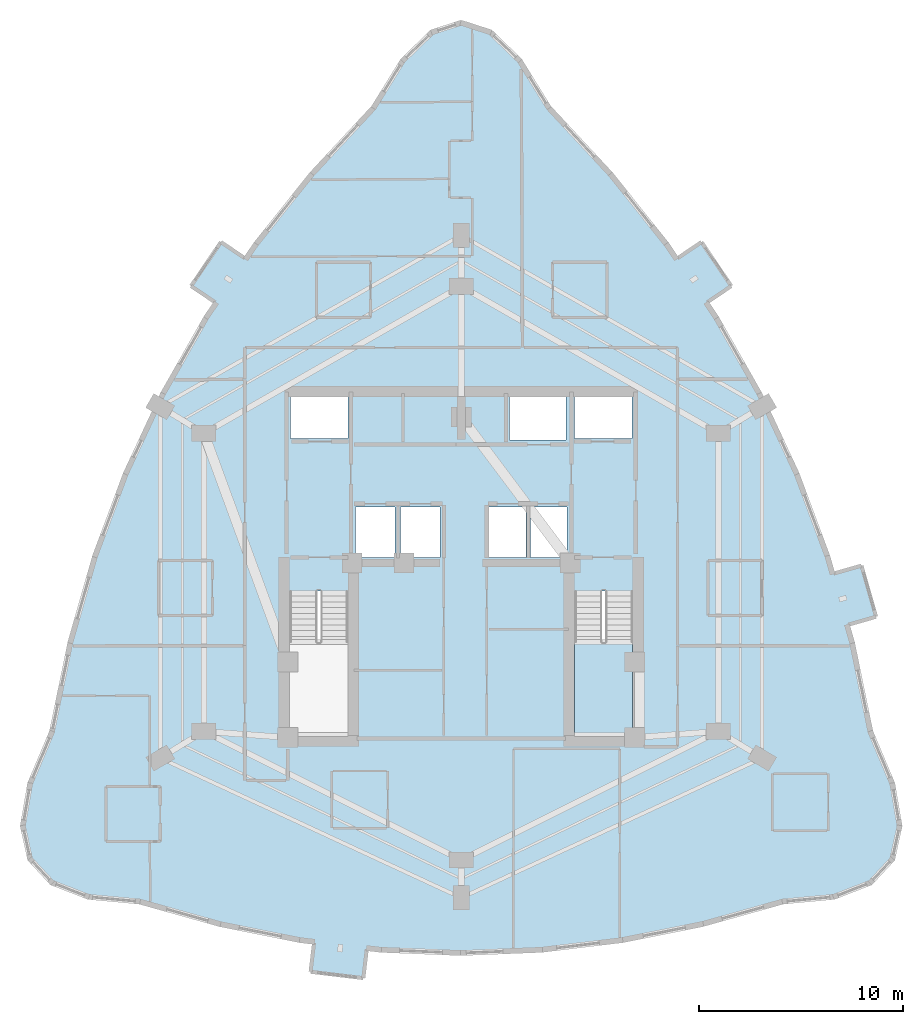
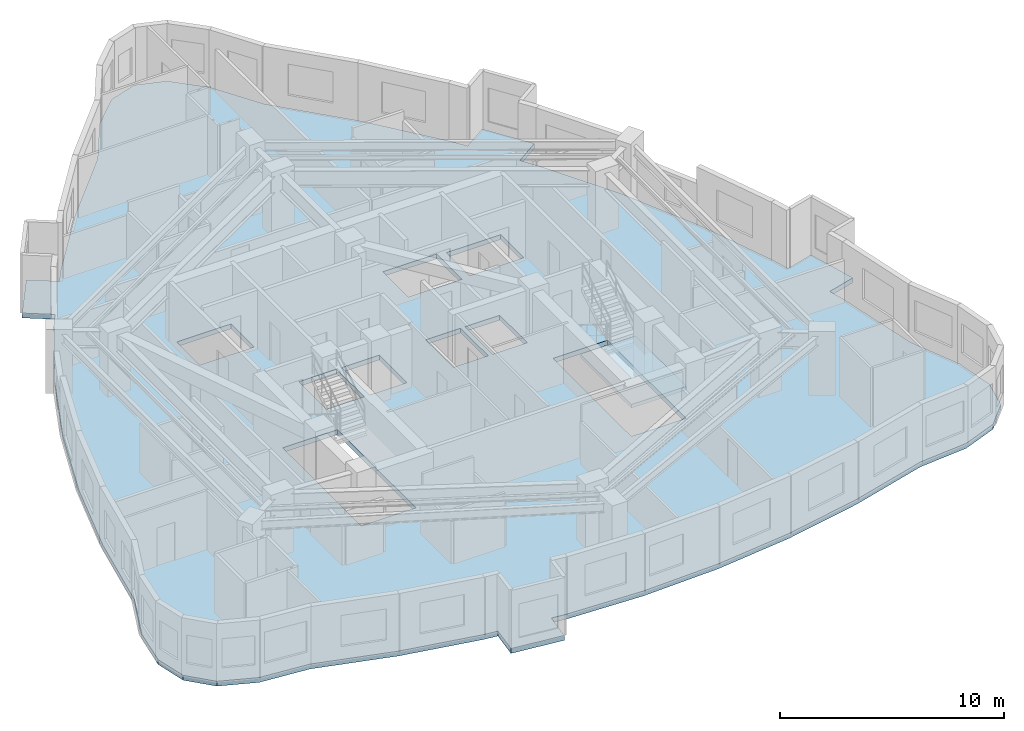
# One storey, part 3 of 11: 2 slabs, 1 element without a shape of its own.
"""IFC4 building model written with IfcOpenShell, lengths in metres."""

from ifc_helpers import new_model, si_unit, direction, frame, origin, place, context, subcontext, project, spatial, polyline, outline, extrude, material, layer, layer_set, type_object, element, aggregate, save


model = new_model("IFC4")

# Units and contexts
model_context = context("Model", 3, precision=1e-05, world=origin(), true_north=direction((0.0, 1.0)))
body_context = subcontext(model_context, "Body", "Model", "MODEL_VIEW")
ifc_project = project(units=[si_unit("LENGTHUNIT", "METRE"), si_unit("AREAUNIT", "SQUARE_METRE"), si_unit("VOLUMEUNIT", "CUBIC_METRE"), si_unit("PLANEANGLEUNIT", "RADIAN"), si_unit("MASSUNIT", "GRAM", prefix="KILO")], contexts=[model_context])

# Site, building, storey
site_placement = place(None, origin())
site = spatial("IfcSite", under=ifc_project, at=site_placement, CompositionType="ELEMENT")
building_placement = place(site_placement, origin())
building = spatial("IfcBuilding", under=site, at=building_placement, Name="Miruveldt Soraemaru", CompositionType="ELEMENT")
storey_placement = place(building_placement, frame((0.0, 0.0, 149.39990234375)))
storey = spatial("IfcBuildingStorey", under=building, at=storey_placement, Name="L41", CompositionType="ELEMENT", Elevation=149.39990234375)

# Stair, slab
ifc_material = material(Name="Concrete C40/50 (40 MPa)", Category="concrete")
stair_type = type_object("IfcStairType", Name="STAIR-DL-350", PredefinedType="HALF_TURN_STAIR", material=ifc_material)
stair_placement = place(storey_placement, origin())
stair = element("IfcStair", 1, at=stair_placement, inside=storey, type_object=stair_type, Name="L41 Protected Exit Stair ST-2", PredefinedType="HALF_TURN_STAIR")
ifc_layer_1 = layer(ifc_material, 0.199951171875, Name="Concrete C40/50 (40 MPa)", Category="concrete")
ifc_layer_set_1 = layer_set([ifc_layer_1], Name="Concrete C40/50 (40 MPa)")
slab_type_1 = type_object("IfcSlabType", Name="SLAB-LAND-200", PredefinedType="LANDING", material=ifc_layer_set_1)
slab_1_placement = place(storey_placement, frame((0.0, 0.0, 1.550048828125)))
slab_1 = element("IfcSlab", 2, at=slab_1_placement, type_object=slab_type_1, Name="ST-2 landing 1", PredefinedType="LANDING", context=body_context, shape_type="SweptSolid", body=[
    extrude(outline(polyline([(49.550048828125, 40.197998046875), (49.550048828125, 35.64990234375), (52.39990234375, 35.64990234375), (52.39990234375, 40.197998046875), (49.550048828125, 40.197998046875)])), origin(), (0.0, 0.0, 1.0), 0.199951171875),
])
aggregate(stair, [slab_1])

# Slab
ifc_layer_2 = layer(ifc_material, 0.264892578125, Name="Concrete C40/50 (40 MPa)", Category="concrete")
ifc_layer_set_2 = layer_set([ifc_layer_2], Name="Concrete C40/50 (40 MPa)")
slab_type_2 = type_object("IfcSlabType", Name="SLAB-RES2-265", PredefinedType="FLOOR", material=ifc_layer_set_2)
slab_2_placement = place(storey_placement, frame((0.0, 0.0, -0.264892578125)))
element("IfcSlab", 3, at=slab_2_placement, inside=storey, type_object=slab_type_2, Name="L41 Structural Floor Slab", PredefinedType="FLOOR", context=body_context, shape_type="SweptSolid", body=[
    extrude(outline(polyline([(36.623291015625, 24.027099609375), (36.799560546875, 25.49658203125), (38.09033203125, 25.341796875), (36.120361328125, 25.577880859375), (32.1806640625, 26.365966796875), (28.24072265625, 27.46923828125), (25.74169921875, 27.699951171875), (23.956787109375, 28.392578125), (22.8857421875, 29.546875), (22.52880859375, 31.162841796875), (22.8857421875, 33.240478515625), (23.956787109375, 35.77978515625), (24.856689453125, 40.152587890625), (26.062255859375, 44.3681640625), (27.573486328125, 48.426025390625), (29.390625, 52.326171875), (31.513427734375, 56.06884765625), (31.99853515625, 56.784912109375), (30.773193359375, 57.614990234375), (32.2314453125, 59.767578125), (33.456787109375, 58.9375), (32.7275390625, 57.861328125), (33.94189453125, 59.65380859375), (36.676025390625, 63.081298828125), (39.716064453125, 66.35107421875), (41.14404296875, 68.65966796875), (42.572021484375, 70.044677734375), (44.0, 70.50634765625), (45.427978515625, 70.044677734375), (46.85595703125, 68.65966796875), (48.283935546875, 66.35107421875), (51.323974609375, 63.081298828125), (54.05810546875, 59.65380859375), (55.272216796875, 57.861328125), (54.543212890625, 58.9375), (55.7685546875, 59.767578125), (57.226806640625, 57.614990234375), (56.00146484375, 56.784912109375), (56.486572265625, 56.06884765625), (58.609375, 52.326171875), (60.426513671875, 48.426025390625), (61.937744140625, 44.3681640625), (62.18310546875, 43.51025390625), (63.60595703125, 43.917236328125), (64.321044921875, 41.41748046875), (62.898193359375, 41.010498046875), (62.54052734375, 42.260498046875), (63.143310546875, 40.152587890625), (64.043212890625, 35.77978515625), (65.1142578125, 33.240478515625), (65.47119140625, 31.162841796875), (65.1142578125, 29.546875), (64.043212890625, 28.392578125), (62.25830078125, 27.699951171875), (59.75927734375, 27.46923828125), (55.8193359375, 26.365966796875), (51.879638671875, 25.577880859375), (47.939697265625, 25.105224609375), (44.0, 24.94775390625), (40.060302734375, 25.105224609375), (39.381103515625, 25.186767578125), (39.20458984375, 23.71728515625), (36.623291015625, 24.027099609375)]), holes=[polyline([(35.614990234375, 35.6650390625), (38.43505859375, 35.6650390625), (38.43505859375, 42.68505859375), (35.614990234375, 42.68505859375), (35.614990234375, 35.6650390625)]), polyline([(49.56494140625, 35.6650390625), (52.385009765625, 35.6650390625), (52.385009765625, 42.68505859375), (49.56494140625, 42.68505859375), (49.56494140625, 35.6650390625)]), polyline([(40.764892578125, 44.31494140625), (40.764892578125, 46.784912109375), (38.81494140625, 46.784912109375), (38.81494140625, 44.31494140625), (40.764892578125, 44.31494140625)]), polyline([(42.965087890625, 44.31494140625), (42.965087890625, 46.784912109375), (41.034912109375, 46.784912109375), (41.034912109375, 44.31494140625), (42.965087890625, 44.31494140625)]), polyline([(47.1650390625, 44.31494140625), (47.1650390625, 46.784912109375), (45.364990234375, 46.784912109375), (45.364990234375, 44.31494140625), (47.1650390625, 44.31494140625)]), polyline([(49.18505859375, 44.31494140625), (49.18505859375, 46.784912109375), (47.39501953125, 46.784912109375), (47.39501953125, 44.31494140625), (49.18505859375, 44.31494140625)]), polyline([(38.445068359375, 50.135009765625), (38.445068359375, 52.205078125), (35.635009765625, 52.205078125), (35.635009765625, 50.135009765625), (38.445068359375, 50.135009765625)]), polyline([(49.554931640625, 50.135009765625), (52.364990234375, 50.135009765625), (52.364990234375, 52.205078125), (49.554931640625, 52.205078125), (49.554931640625, 50.135009765625)]), polyline([(46.364990234375, 50.06494140625), (49.135009765625, 50.06494140625), (49.135009765625, 52.3349609375), (46.364990234375, 52.3349609375), (46.364990234375, 50.06494140625)])]), origin(), (0.0, 0.0, 1.0), 0.264892578125),
])

save(model, "model.ifc")
